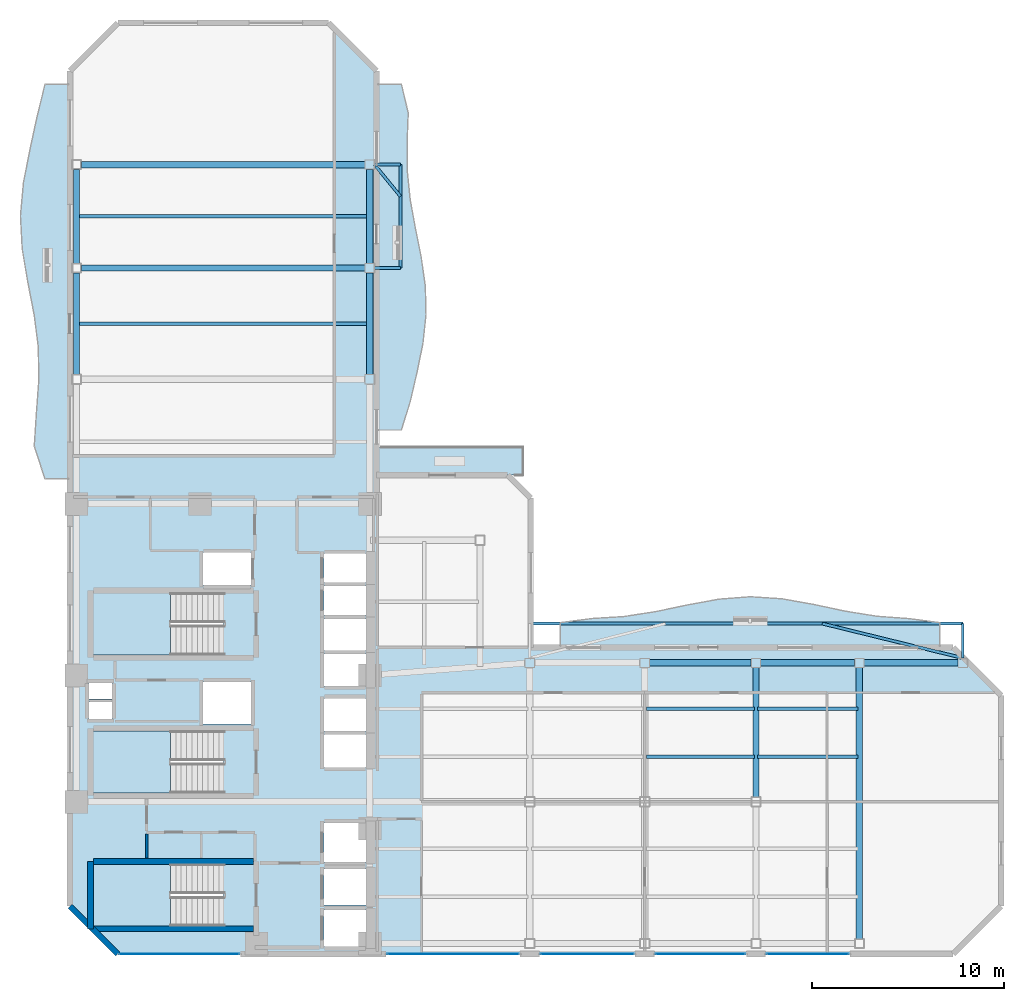
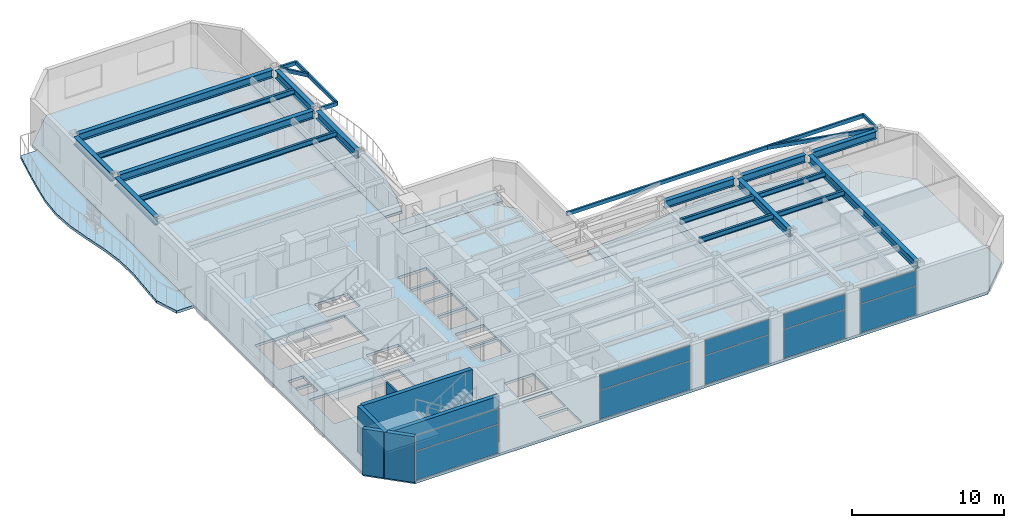
# One storey, part 8 of 15: 24 beams, 10 plates, 8 slabs, 5 walls, 8 elements without a shape of their own.
"""IFC4 building model written with IfcOpenShell, lengths in metres."""

from ifc_helpers import new_model, si_unit, direction, frame, frame_2d, origin, origin_2d, place, context, subcontext, project, spatial, polyline, rectangle, hollow_rectangle, i_section, outline, extrude, material, layer, layer_set, material_profile, profile_set, type_object, element, aggregate, save


model = new_model("IFC4")

# Units and contexts
model_context = context("Model", 3, precision=1e-05, world=origin(), true_north=direction((0.0, 1.0)))
body_context = subcontext(model_context, "Body", "Model", "MODEL_VIEW")
ifc_project = project(units=[si_unit("LENGTHUNIT", "METRE"), si_unit("AREAUNIT", "SQUARE_METRE"), si_unit("VOLUMEUNIT", "CUBIC_METRE"), si_unit("PLANEANGLEUNIT", "RADIAN"), si_unit("MASSUNIT", "GRAM", prefix="KILO")], contexts=[model_context])

# Site, building, storey
site_placement = place(None, origin())
site = spatial("IfcSite", under=ifc_project, at=site_placement, CompositionType="ELEMENT")
building_placement = place(site_placement, origin())
building = spatial("IfcBuilding", under=site, at=building_placement, Name="Mawjaban Terraces University", CompositionType="ELEMENT")
storey_placement = place(building_placement, frame((0.0, 0.0, 142.39990234375)))
storey = spatial("IfcBuildingStorey", under=building, at=storey_placement, Name="L34", CompositionType="ELEMENT", Elevation=142.39990234375)

# Beams
ifc_material_1 = material(Name="Steel EN 10210-1 S355J2H", Category="steel")
ifc_material_profile_1 = material_profile(ifc_material_1, hollow_rectangle(XDim=0.14990234375, YDim=0.300048828125, WallThickness=0.012451171875, at=origin_2d()), Name="RHS300X150X12.5")
ifc_profile_set_1 = profile_set([ifc_material_profile_1], Name="Steel EN 10210-1 S355J2H")
beam_type_1 = type_object("IfcBeamType", Name="BalconyCantileverSpandrel_RHS", PredefinedType="SPANDREL", material=ifc_profile_set_1)
beam_1_placement = place(storey_placement, frame((68.60009765625, 15.449951171875, 3.5400390625), z_axis=(0.0, 1.0, 0.0), x_axis=(-1.0, 0.0, 0.0)))
element("IfcBeam", 1, at=beam_1_placement, inside=storey, type_object=beam_type_1, Name="L34 Exterior Outrigger BAL-L35-N.2", PredefinedType="SPANDREL", context=body_context, shape_type="SweptSolid", body=[
    extrude(hollow_rectangle(XDim=0.14990234375, YDim=0.300048828125, WallThickness=0.012451171875, at=origin_2d()), origin(), (0.0, 0.0, 1.0), 1.800048828125),
])
beam_2_placement = place(storey_placement, frame((46.0, 17.25, 3.5400390625), z_axis=(1.0, 0.0, 0.0), x_axis=(0.0, 1.0, 0.0)))
element("IfcBeam", 2, at=beam_2_placement, inside=storey, type_object=beam_type_1, Name="L34 Exterior Edge Spandrel BAL-L35-N", PredefinedType="SPANDREL", context=body_context, shape_type="SweptSolid", body=[
    extrude(hollow_rectangle(XDim=0.14990234375, YDim=0.300048828125, WallThickness=0.012451171875, at=origin_2d()), origin(), (0.0, 0.0, 1.0), 22.60009765625),
])
beam_3_placement = place(storey_placement, frame((68.60009765625, 15.449951171875, 3.5400390625), z_axis=(-0.971192217353, 0.238297454775, 0.0), x_axis=(-0.238297454775, -0.971192217353, 0.0)))
element("IfcBeam", 3, at=beam_3_placement, inside=storey, type_object=beam_type_1, Name="L34 Exterior Diagonal Strut BAL-L35-N.2", PredefinedType="SPANDREL", context=body_context, shape_type="SweptSolid", body=[
    extrude(hollow_rectangle(XDim=0.14990234375, YDim=0.300048828125, WallThickness=0.012451171875, at=origin_2d()), origin(), (0.0, 0.0, 1.0), 7.5537109375),
])
for number, where, z_axis, x_axis, name in (
    (4, (37.89990234375, 35.800048828125, 3.5400390625), (1.0, 0.0, 0.0), (0.0, 1.0, 0.0), "L34 Exterior Outrigger BAL-L35-E.1"),
    (5, (37.89990234375, 41.199951171875, 3.5400390625), (1.0, 0.0, 0.0), (0.0, 1.0, 0.0), "L34 Exterior Outrigger BAL-L35-E.2"),
):
    element("IfcBeam", number, at=place(storey_placement, frame(where, z_axis=z_axis, x_axis=x_axis)), inside=storey, type_object=beam_type_1, Name=name, PredefinedType="SPANDREL", context=body_context, shape_type="SweptSolid", body=[
        extrude(hollow_rectangle(XDim=0.14990234375, YDim=0.300048828125, WallThickness=0.012451171875, at=origin_2d()), origin(), (0.0, 0.0, 1.0), 1.35009765625),
    ])
beam_4_placement = place(storey_placement, frame((39.25, 35.800048828125, 3.5400390625), z_axis=(0.0, 1.0, 0.0), x_axis=(-1.0, 0.0, 0.0)))
element("IfcBeam", 6, at=beam_4_placement, inside=storey, type_object=beam_type_1, Name="L34 Exterior Edge Spandrel BAL-L35-E", PredefinedType="SPANDREL", context=body_context, shape_type="SweptSolid", body=[
    extrude(hollow_rectangle(XDim=0.14990234375, YDim=0.300048828125, WallThickness=0.012451171875, at=origin_2d()), origin(), (0.0, 0.0, 1.0), 5.39990234375),
])
beam_5_placement = place(storey_placement, frame((37.89990234375, 41.199951171875, 3.5400390625), z_axis=(0.633287678219, -0.773916479096, 0.0), x_axis=(0.773916479096, 0.633287678219, 0.0)))
element("IfcBeam", 7, at=beam_5_placement, inside=storey, type_object=beam_type_1, Name="L34 Exterior Diagonal Strut BAL-L35-E.2", PredefinedType="SPANDREL", context=body_context, shape_type="SweptSolid", body=[
    extrude(hollow_rectangle(XDim=0.14990234375, YDim=0.300048828125, WallThickness=0.012451171875, at=origin_2d()), origin(), (0.0, 0.0, 1.0), 2.1318359375),
])
ifc_material_2 = material(Name="Steel ASTM A572 Grade 50", Category="steel")
ifc_material_profile_2 = material_profile(ifc_material_2, i_section(OverallWidth=0.324951171875, OverallDepth=0.615966796875, WebThickness=0.013916015625, FlangeThickness=0.021484375, at=origin_2d()), Name="W610X174")
ifc_profile_set_2 = profile_set([ifc_material_profile_2], Name="Steel ASTM A572 Grade 50")
beam_type_2 = type_object("IfcBeamType", Name="Beam_B_W610X174", PredefinedType="BEAM", material=ifc_profile_set_2)
beam_6_placement = place(storey_placement, frame((52.25, 15.199951171875, 3.382080078125), z_axis=(1.0, 0.0, 0.0), x_axis=(0.0, 1.0, 0.0)))
element("IfcBeam", 8, at=beam_6_placement, inside=storey, type_object=beam_type_2, Name="L34 Beam BM-L34-EW-09", PredefinedType="BEAM", context=body_context, shape_type="SweptSolid", body=[
    extrude(i_section(OverallWidth=0.324951171875, OverallDepth=0.615966796875, WebThickness=0.013916015625, FlangeThickness=0.021484375, at=origin_2d()), origin(), (0.0, 0.0, 1.0), 5.300048828125),
])
beam_7_placement = place(storey_placement, frame((58.050048828125, 15.199951171875, 3.382080078125), z_axis=(1.0, 0.0, 0.0), x_axis=(0.0, 1.0, 0.0)))
element("IfcBeam", 9, at=beam_7_placement, inside=storey, type_object=beam_type_2, Name="L34 Beam BM-L34-EW-10", PredefinedType="BEAM", context=body_context, shape_type="SweptSolid", body=[
    extrude(i_section(OverallWidth=0.324951171875, OverallDepth=0.615966796875, WebThickness=0.013916015625, FlangeThickness=0.021484375, at=origin_2d()), origin(), (0.0, 0.0, 1.0), 4.89990234375),
])
beam_8_placement = place(storey_placement, frame((63.449951171875, 15.199951171875, 3.382080078125), z_axis=(1.0, 0.0, 0.0), x_axis=(0.0, 1.0, 0.0)))
element("IfcBeam", 10, at=beam_8_placement, inside=storey, type_object=beam_type_2, Name="L34 Beam BM-L34-EW-11", PredefinedType="BEAM", context=body_context, shape_type="SweptSolid", body=[
    extrude(i_section(OverallWidth=0.324951171875, OverallDepth=0.615966796875, WebThickness=0.013916015625, FlangeThickness=0.021484375, at=origin_2d()), origin(), (0.0, 0.0, 1.0), 4.900146484375),
])
for number, where, z_axis, x_axis, name in (
    (11, (22.60009765625, 35.800048828125, 3.382080078125), (1.0, 0.0, 0.0), (0.0, 1.0, 0.0), "L34 Beam BM-L34-EW-15"),
    (12, (22.60009765625, 41.199951171875, 3.382080078125), (1.0, 0.0, 0.0), (0.0, 1.0, 0.0), "L34 Beam BM-L34-EW-16"),
):
    element("IfcBeam", number, at=place(storey_placement, frame(where, z_axis=z_axis, x_axis=x_axis)), inside=storey, type_object=beam_type_2, Name=name, PredefinedType="BEAM", context=body_context, shape_type="SweptSolid", body=[
        extrude(i_section(OverallWidth=0.324951171875, OverallDepth=0.615966796875, WebThickness=0.013916015625, FlangeThickness=0.021484375, at=origin_2d()), origin(), (0.0, 0.0, 1.0), 14.7998046875),
    ])
beam_9_placement = place(storey_placement, frame((22.35009765625, 30.25, 3.382080078125), z_axis=(0.0, 1.0, 0.0), x_axis=(-1.0, 0.0, 0.0)))
element("IfcBeam", 13, at=beam_9_placement, inside=storey, type_object=beam_type_2, Name="L34 Beam BM-L34-NS-04", PredefinedType="BEAM", context=body_context, shape_type="SweptSolid", body=[
    extrude(i_section(OverallWidth=0.324951171875, OverallDepth=0.615966796875, WebThickness=0.013916015625, FlangeThickness=0.021484375, at=origin_2d()), origin(), (0.0, 0.0, 1.0), 5.300048828125),
])
beam_10_placement = place(storey_placement, frame((22.35009765625, 36.050048828125, 3.382080078125), z_axis=(0.0, 1.0, 0.0), x_axis=(-1.0, 0.0, 0.0)))
element("IfcBeam", 14, at=beam_10_placement, inside=storey, type_object=beam_type_2, Name="L34 Beam BM-L34-NS-05", PredefinedType="BEAM", context=body_context, shape_type="SweptSolid", body=[
    extrude(i_section(OverallWidth=0.324951171875, OverallDepth=0.615966796875, WebThickness=0.013916015625, FlangeThickness=0.021484375, at=origin_2d()), origin(), (0.0, 0.0, 1.0), 4.89990234375),
])
beam_11_placement = place(storey_placement, frame((37.64990234375, 30.25, 3.382080078125), z_axis=(0.0, 1.0, 0.0), x_axis=(-1.0, 0.0, 0.0)))
element("IfcBeam", 15, at=beam_11_placement, inside=storey, type_object=beam_type_2, Name="L34 Beam BM-L34-NS-10", PredefinedType="BEAM", context=body_context, shape_type="SweptSolid", body=[
    extrude(i_section(OverallWidth=0.324951171875, OverallDepth=0.615966796875, WebThickness=0.013916015625, FlangeThickness=0.021484375, at=origin_2d()), origin(), (0.0, 0.0, 1.0), 5.300048828125),
])
beam_12_placement = place(storey_placement, frame((37.64990234375, 36.050048828125, 3.382080078125), z_axis=(0.0, 1.0, 0.0), x_axis=(-1.0, 0.0, 0.0)))
element("IfcBeam", 16, at=beam_12_placement, inside=storey, type_object=beam_type_2, Name="L34 Beam BM-L34-NS-11", PredefinedType="BEAM", context=body_context, shape_type="SweptSolid", body=[
    extrude(i_section(OverallWidth=0.324951171875, OverallDepth=0.615966796875, WebThickness=0.013916015625, FlangeThickness=0.021484375, at=origin_2d()), origin(), (0.0, 0.0, 1.0), 4.89990234375),
])
beam_13_placement = place(storey_placement, frame((57.800048828125, 8.199951171875, 3.382080078125), z_axis=(0.0, 1.0, 0.0), x_axis=(-1.0, 0.0, 0.0)))
element("IfcBeam", 17, at=beam_13_placement, inside=storey, type_object=beam_type_2, Name="L34 Beam BM-L34-NS-17", PredefinedType="BEAM", context=body_context, shape_type="SweptSolid", body=[
    extrude(i_section(OverallWidth=0.324951171875, OverallDepth=0.615966796875, WebThickness=0.013916015625, FlangeThickness=0.021484375, at=origin_2d()), origin(), (0.0, 0.0, 1.0), 6.75),
])
beam_14_placement = place(storey_placement, frame((63.199951171875, 0.800048828125, 3.382080078125), z_axis=(0.0, 1.0, 0.0), x_axis=(-1.0, 0.0, 0.0)))
element("IfcBeam", 18, at=beam_14_placement, inside=storey, type_object=beam_type_2, Name="L34 Beam BM-L34-NS-18", PredefinedType="BEAM", context=body_context, shape_type="SweptSolid", body=[
    extrude(i_section(OverallWidth=0.324951171875, OverallDepth=0.615966796875, WebThickness=0.013916015625, FlangeThickness=0.021484375, at=origin_2d()), origin(), (0.0, 0.0, 1.0), 14.14990234375),
])
ifc_material_profile_3 = material_profile(ifc_material_2, i_section(OverallWidth=0.179931640625, OverallDepth=0.4130859375, WebThickness=0.009765625, FlangeThickness=0.01611328125, at=origin_2d()), Name="W410X74")
ifc_profile_set_3 = profile_set([ifc_material_profile_3], Name="Steel ASTM A572 Grade 50")
beam_type_3 = type_object("IfcBeamType", Name="Beam_J_W410X74", PredefinedType="JOIST", material=ifc_profile_set_3)
beam_15_placement = place(storey_placement, frame((52.080078125, 10.300048828125, 3.483154296875), z_axis=(1.0, 0.0, 0.0), x_axis=(0.0, 1.0, 0.0)))
element("IfcBeam", 19, at=beam_15_placement, inside=storey, type_object=beam_type_3, Name="L34 Composite Joist JST-L34-11", PredefinedType="JOIST", context=body_context, shape_type="SweptSolid", body=[
    extrude(i_section(OverallWidth=0.179931640625, OverallDepth=0.4130859375, WebThickness=0.009765625, FlangeThickness=0.01611328125, at=origin_2d()), origin(), (0.0, 0.0, 1.0), 5.639892578125),
])
beam_16_placement = place(storey_placement, frame((57.8798828125, 10.300048828125, 3.483154296875), z_axis=(1.0, 0.0, 0.0), x_axis=(0.0, 1.0, 0.0)))
element("IfcBeam", 20, at=beam_16_placement, inside=storey, type_object=beam_type_3, Name="L34 Composite Joist JST-L34-12", PredefinedType="JOIST", context=body_context, shape_type="SweptSolid", body=[
    extrude(i_section(OverallWidth=0.179931640625, OverallDepth=0.4130859375, WebThickness=0.009765625, FlangeThickness=0.01611328125, at=origin_2d()), origin(), (0.0, 0.0, 1.0), 5.240234375),
])
beam_17_placement = place(storey_placement, frame((52.080078125, 12.800048828125, 3.483154296875), z_axis=(1.0, 0.0, 0.0), x_axis=(0.0, 1.0, 0.0)))
element("IfcBeam", 21, at=beam_17_placement, inside=storey, type_object=beam_type_3, Name="L34 Composite Joist JST-L34-15", PredefinedType="JOIST", context=body_context, shape_type="SweptSolid", body=[
    extrude(i_section(OverallWidth=0.179931640625, OverallDepth=0.4130859375, WebThickness=0.009765625, FlangeThickness=0.01611328125, at=origin_2d()), origin(), (0.0, 0.0, 1.0), 5.639892578125),
])
beam_18_placement = place(storey_placement, frame((57.8798828125, 12.800048828125, 3.483154296875), z_axis=(1.0, 0.0, 0.0), x_axis=(0.0, 1.0, 0.0)))
element("IfcBeam", 22, at=beam_18_placement, inside=storey, type_object=beam_type_3, Name="L34 Composite Joist JST-L34-16", PredefinedType="JOIST", context=body_context, shape_type="SweptSolid", body=[
    extrude(i_section(OverallWidth=0.179931640625, OverallDepth=0.4130859375, WebThickness=0.009765625, FlangeThickness=0.01611328125, at=origin_2d()), origin(), (0.0, 0.0, 1.0), 5.240234375),
])
for number, where, z_axis, x_axis, name in (
    (23, (22.429931640625, 32.89990234375, 3.483154296875), (1.0, 0.0, 0.0), (0.0, 1.0, 0.0), "L34 Composite Joist JST-L34-19"),
    (24, (22.429931640625, 38.5, 3.483154296875), (1.0, 0.0, 0.0), (0.0, 1.0, 0.0), "L34 Composite Joist JST-L34-20"),
):
    element("IfcBeam", number, at=place(storey_placement, frame(where, z_axis=z_axis, x_axis=x_axis)), inside=storey, type_object=beam_type_3, Name=name, PredefinedType="JOIST", context=body_context, shape_type="SweptSolid", body=[
        extrude(i_section(OverallWidth=0.179931640625, OverallDepth=0.4130859375, WebThickness=0.009765625, FlangeThickness=0.01611328125, at=origin_2d()), origin(), (0.0, 0.0, 1.0), 15.14013671875),
    ])

# Slabs
ifc_material_3 = material(Name="Concrete C40/50", Category="concrete")
ifc_layer_1 = layer(ifc_material_3, 0.2099609375)
ifc_layer_set_1 = layer_set([ifc_layer_1], Name="Concrete C40/50")
slab_type_1 = type_object("IfcSlabType", Name="BalconySlab_210_Ext", PredefinedType="FLOOR", material=ifc_layer_set_1)
slab_1_placement = place(storey_placement, frame((0.0, 0.0, -0.2099609375)))
element("IfcSlab", 25, at=slab_1_placement, inside=storey, type_object=slab_type_1, Name="L34 Planted Balcony Slab west", PredefinedType="FLOOR", context=body_context, shape_type="SweptSolid", body=[
    extrude(outline(polyline([(22.010009765625, 24.800048828125), (22.010009765625, 45.39990234375), (20.699951171875, 45.39990234375), (20.281982421875, 43.68310546875), (19.909912109375, 41.967041015625), (19.574951171875, 40.25), (19.4189453125, 38.532958984375), (19.510009765625, 36.81689453125), (19.797119140625, 35.10009765625), (20.131103515625, 33.383056640625), (20.35107421875, 31.6669921875), (20.3759765625, 29.949951171875), (20.25, 28.23291015625), (20.138916015625, 26.51708984375), (20.699951171875, 24.800048828125), (22.010009765625, 24.800048828125)])), origin(), (0.0, 0.0, 1.0), 0.2099609375),
])
slab_2_placement = place(storey_placement, frame((0.0, 0.0, -0.2099609375)))
element("IfcSlab", 26, at=slab_2_placement, inside=storey, type_object=slab_type_1, Name="L34 Planted Balcony Slab inner_north", PredefinedType="FLOOR", context=body_context, shape_type="SweptSolid", body=[
    extrude(outline(polyline([(47.59912109375, 15.989990234375), (67.39990234375, 15.989990234375), (67.39990234375, 17.300048828125), (65.75, 17.510986328125), (64.10009765625, 17.632080078125), (62.449951171875, 17.89990234375), (60.800048828125, 18.2509765625), (59.14990234375, 18.5439453125), (57.4990234375, 18.64990234375), (55.84912109375, 18.52001953125), (54.198974609375, 18.215087890625), (52.549072265625, 17.867919921875), (50.89892578125, 17.614990234375), (49.2490234375, 17.512939453125), (47.59912109375, 17.300048828125), (47.59912109375, 15.989990234375)])), origin(), (0.0, 0.0, 1.0), 0.2099609375),
])
slab_3_placement = place(storey_placement, frame((0.0, 0.0, -0.2099609375)))
element("IfcSlab", 27, at=slab_3_placement, inside=storey, type_object=slab_type_1, Name="L34 Planted Balcony Slab inner_east", PredefinedType="FLOOR", context=body_context, shape_type="SweptSolid", body=[
    extrude(outline(polyline([(39.300048828125, 27.35009765625), (39.764892578125, 28.85400390625), (40.114990234375, 30.35791015625), (40.4208984375, 31.863037109375), (40.583984375, 33.366943359375), (40.547119140625, 34.87109375), (40.3330078125, 36.375), (40.030029296875, 37.87890625), (39.757080078125, 39.383056640625), (39.60595703125, 40.887939453125), (39.597900390625, 42.39208984375), (39.655029296875, 43.89599609375), (39.300048828125, 45.39990234375), (37.989990234375, 45.39990234375), (37.989990234375, 27.35009765625), (39.300048828125, 27.35009765625)])), origin(), (0.0, 0.0, 1.0), 0.2099609375),
])
ifc_layer_2 = layer(ifc_material_3, 0.2099609375)
ifc_layer_set_2 = layer_set([ifc_layer_2], Name="Concrete C40/50")
slab_type_2 = type_object("IfcSlabType", Name="CompositeSlab_210", PredefinedType="FLOOR", material=ifc_layer_set_2)
slab_4_placement = place(storey_placement, frame((0.0, 0.0, -0.2099609375)))
element("IfcSlab", 28, at=slab_4_placement, inside=storey, type_object=slab_type_2, Name="L34 Primary Structural Slab", PredefinedType="FLOOR", context=body_context, shape_type="SweptSolid", body=[
    extrude(outline(polyline([(24.5, 0.0), (68.10009765625, 0.0), (70.60009765625, 2.5), (70.60009765625, 13.5), (68.10009765625, 16.0), (46.0458984375, 16.0), (46.0458984375, 23.800048828125), (44.845947265625, 25.0), (38.0, 25.0), (38.0, 46.10009765625), (35.5, 48.60009765625), (24.5, 48.60009765625), (22.0, 46.10009765625), (22.0, 2.5), (24.5, 0.0)]), holes=[polyline([(30.014892578125, 4.699951171875), (23.199951171875, 4.699951171875), (23.199951171875, 1.449951171875), (30.014892578125, 1.449951171875), (30.014892578125, 4.699951171875)]), polyline([(30.014892578125, 18.85009765625), (23.199951171875, 18.85009765625), (23.199951171875, 15.60009765625), (30.014892578125, 15.60009765625), (30.014892578125, 18.85009765625)]), polyline([(30.014892578125, 11.64990234375), (23.199951171875, 11.64990234375), (23.199951171875, 8.39990234375), (30.014892578125, 8.39990234375), (30.014892578125, 11.64990234375)]), polyline([(35.25, 0.39990234375), (37.449951171875, 0.39990234375), (37.449951171875, 2.300048828125), (35.25, 2.300048828125), (35.25, 0.39990234375)]), polyline([(35.25, 2.550048828125), (37.449951171875, 2.550048828125), (37.449951171875, 4.449951171875), (35.25, 4.449951171875), (35.25, 2.550048828125)]), polyline([(35.25, 4.800048828125), (37.449951171875, 4.800048828125), (37.449951171875, 6.85009765625), (35.25, 6.85009765625), (35.25, 4.800048828125)]), polyline([(35.25, 9.75), (37.449951171875, 9.75), (37.449951171875, 11.449951171875), (35.25, 11.449951171875), (35.25, 9.75)]), polyline([(35.25, 11.64990234375), (37.449951171875, 11.64990234375), (37.449951171875, 13.35009765625), (35.25, 13.35009765625), (35.25, 11.64990234375)]), polyline([(28.949951171875, 12.0), (31.449951171875, 12.0), (31.449951171875, 14.199951171875), (28.949951171875, 14.199951171875), (28.949951171875, 12.0)]), polyline([(35.25, 14.0), (37.449951171875, 14.0), (37.449951171875, 15.64990234375), (35.25, 15.64990234375), (35.25, 14.0)]), polyline([(35.25, 15.85009765625), (37.449951171875, 15.85009765625), (37.449951171875, 17.5), (35.25, 17.5), (35.25, 15.85009765625)]), polyline([(35.25, 17.699951171875), (37.449951171875, 17.699951171875), (37.449951171875, 19.199951171875), (35.25, 19.199951171875), (35.25, 17.699951171875)]), polyline([(35.25, 19.39990234375), (37.449951171875, 19.39990234375), (37.449951171875, 20.89990234375), (35.25, 20.89990234375), (35.25, 19.39990234375)]), polyline([(28.949951171875, 19.25), (31.449951171875, 19.25), (31.449951171875, 20.949951171875), (28.949951171875, 20.949951171875), (28.949951171875, 19.25)]), polyline([(23.0, 12.25), (24.199951171875, 12.25), (24.199951171875, 13.14990234375), (23.0, 13.14990234375), (23.0, 12.25)]), polyline([(23.0, 13.300048828125), (24.199951171875, 13.300048828125), (24.199951171875, 14.179931640625), (23.0, 14.179931640625), (23.0, 13.300048828125)])]), origin(), (0.0, 0.0, 1.0), 0.2099609375),
])

# Stair, slab
stair_type = type_object("IfcStairType", Name="Stair_Core1550_H39", PredefinedType="HALF_TURN_STAIR", material=ifc_material_3)
stair_1_placement = place(storey_placement, origin())
stair_1 = element("IfcStair", 29, at=stair_1_placement, inside=storey, type_object=stair_type, Name="L34 Core Exit Stair 1", PredefinedType="HALF_TURN_STAIR")
ifc_layer_3 = layer(ifc_material_3, 0.199951171875)
ifc_layer_set_3 = layer_set([ifc_layer_3], Name="Concrete C40/50")
slab_type_3 = type_object("IfcSlabType", Name="StairLandingSlab_200", PredefinedType="LANDING", material=ifc_layer_set_3)
slab_5_placement = place(storey_placement, frame((0.0, 0.0, 1.75)))
slab_5 = element("IfcSlab", 30, at=slab_5_placement, type_object=slab_type_3, Name="ST-1 landing 1", PredefinedType="LANDING", context=body_context, shape_type="SweptSolid", body=[
    extrude(outline(polyline([(27.25, 4.699951171875), (23.199951171875, 4.699951171875), (23.199951171875, 1.449951171875), (27.25, 1.449951171875), (27.25, 4.699951171875)])), origin(), (0.0, 0.0, 1.0), 0.2001953125),
])
aggregate(stair_1, [slab_5])

stair_2_placement = place(storey_placement, origin())
stair_2 = element("IfcStair", 31, at=stair_2_placement, inside=storey, type_object=stair_type, Name="L34 Core Exit Stair 2", PredefinedType="HALF_TURN_STAIR")
slab_6_placement = place(storey_placement, frame((0.0, 0.0, 1.75)))
slab_6 = element("IfcSlab", 32, at=slab_6_placement, type_object=slab_type_3, Name="ST-2 landing 1", PredefinedType="LANDING", context=body_context, shape_type="SweptSolid", body=[
    extrude(outline(polyline([(27.25, 18.85009765625), (23.199951171875, 18.85009765625), (23.199951171875, 15.60009765625), (27.25, 15.60009765625), (27.25, 18.85009765625)])), origin(), (0.0, 0.0, 1.0), 0.2001953125),
])
aggregate(stair_2, [slab_6])

stair_3_placement = place(storey_placement, origin())
stair_3 = element("IfcStair", 33, at=stair_3_placement, inside=storey, type_object=stair_type, Name="L34 Core Exit Stair 3", PredefinedType="HALF_TURN_STAIR")
slab_7_placement = place(storey_placement, frame((0.0, 0.0, 1.75)))
slab_7 = element("IfcSlab", 34, at=slab_7_placement, type_object=slab_type_3, Name="ST-3 landing 1", PredefinedType="LANDING", context=body_context, shape_type="SweptSolid", body=[
    extrude(outline(polyline([(27.25, 11.64990234375), (23.199951171875, 11.64990234375), (23.199951171875, 8.39990234375), (27.25, 8.39990234375), (27.25, 11.64990234375)])), origin(), (0.0, 0.0, 1.0), 0.2001953125),
])
aggregate(stair_3, [slab_7])

# Slab
ifc_layer_4 = layer(ifc_material_3, 0.2099609375)
ifc_layer_set_4 = layer_set([ifc_layer_4], Name="Concrete C40/50")
slab_type_4 = type_object("IfcSlabType", Name="StudyTerraceSlab_210_Ext", PredefinedType="FLOOR", material=ifc_layer_set_4)
slab_8_placement = place(storey_placement, frame((0.0, 0.0, -0.2099609375)))
element("IfcSlab", 35, at=slab_8_placement, inside=storey, type_object=slab_type_4, Name="L34 Exterior Study Terrace Slab", PredefinedType="FLOOR", context=body_context, shape_type="SweptSolid", body=[
    extrude(outline(polyline([(38.0, 25.0), (45.64599609375, 25.0), (45.64599609375, 26.449951171875), (38.0, 26.449951171875), (38.0, 25.0)])), origin(), (0.0, 0.0, 1.0), 0.2099609375),
])

# Curtain wall, plates
ifc_material_4 = material(Name="Anodised aluminium 6063-T6 and solar-control low-E glass", Category="aluminium")
ifc_layer_5 = layer(ifc_material_4, 0.1650390625)
ifc_layer_set_5 = layer_set([ifc_layer_5], Name="Anodised aluminium 6063-T6 and solar-control low-E glass")
curtain_wall_type = type_object("IfcCurtainWallType", Name="CWSystem_04_EastWing", PredefinedType="NOTDEFINED", material=ifc_layer_set_5)
curtain_wall_1_placement = place(storey_placement, origin())
curtain_wall_1 = element("IfcCurtainWall", 36, at=curtain_wall_1_placement, inside=storey, type_object=curtain_wall_type, Name="L34 Curtain Wall CW-04 Run 1.1", PredefinedType="NOTDEFINED")
ifc_material_5 = material(Name="Low-E solar-control double glazing", Category="glass")
ifc_layer_6 = layer(ifc_material_5, 0.028076171875)
ifc_layer_set_6 = layer_set([ifc_layer_6], Name="Low-E solar-control double glazing")
plate_type = type_object("IfcPlateType", Name="VisionPanel_CW-04", PredefinedType="CURTAIN_PANEL", material=ifc_layer_set_6)
plate_1_placement = place(storey_placement, frame((27.699951171875, 0.0, 0.06005859375), z_axis=(0.0, 0.0, 1.0), x_axis=(1.0, 0.0, 0.0)))
plate_1 = element("IfcPlate", 37, at=plate_1_placement, type_object=plate_type, Name="CW-04 panel 1.1", PredefinedType="CURTAIN_PANEL", context=body_context, shape_type="SweptSolid", body=[
    extrude(rectangle(XDim=6.27001953125, YDim=0.028076171875, at=origin_2d()), origin(), (0.0, 0.0, 1.0), 2.30810546875),
])
plate_2_placement = place(storey_placement, frame((27.699951171875, 0.0, 2.42822265625), z_axis=(0.0, 0.0, 1.0), x_axis=(1.0, 0.0, 0.0)))
plate_2 = element("IfcPlate", 38, at=plate_2_placement, type_object=plate_type, Name="CW-04 panel 1.2", PredefinedType="CURTAIN_PANEL", context=body_context, shape_type="SweptSolid", body=[
    extrude(rectangle(XDim=6.27001953125, YDim=0.028076171875, at=origin_2d()), origin(), (0.0, 0.0, 1.0), 1.201904296875),
])
aggregate(curtain_wall_1, [plate_1, plate_2])

curtain_wall_2_placement = place(storey_placement, origin())
curtain_wall_2 = element("IfcCurtainWall", 39, at=curtain_wall_2_placement, inside=storey, type_object=curtain_wall_type, Name="L34 Curtain Wall CW-04 Run 1.2", PredefinedType="NOTDEFINED")
plate_3_placement = place(storey_placement, frame((42.0, 0.0, 0.06005859375), z_axis=(0.0, 0.0, 1.0), x_axis=(1.0, 0.0, 0.0)))
plate_3 = element("IfcPlate", 40, at=plate_3_placement, type_object=plate_type, Name="CW-04 panel 1.1", PredefinedType="CURTAIN_PANEL", context=body_context, shape_type="SweptSolid", body=[
    extrude(rectangle(XDim=6.8701171875, YDim=0.028076171875, at=origin_2d()), origin(), (0.0, 0.0, 1.0), 2.30810546875),
])
plate_4_placement = place(storey_placement, frame((42.0, 0.0, 2.42822265625), z_axis=(0.0, 0.0, 1.0), x_axis=(1.0, 0.0, 0.0)))
plate_4 = element("IfcPlate", 41, at=plate_4_placement, type_object=plate_type, Name="CW-04 panel 1.2", PredefinedType="CURTAIN_PANEL", context=body_context, shape_type="SweptSolid", body=[
    extrude(rectangle(XDim=6.8701171875, YDim=0.028076171875, at=origin_2d()), origin(), (0.0, 0.0, 1.0), 1.201904296875),
])
aggregate(curtain_wall_2, [plate_3, plate_4])

curtain_wall_3_placement = place(storey_placement, origin())
curtain_wall_3 = element("IfcCurtainWall", 42, at=curtain_wall_3_placement, inside=storey, type_object=curtain_wall_type, Name="L34 Curtain Wall CW-04 Run 1.3", PredefinedType="NOTDEFINED")
plate_5_placement = place(storey_placement, frame((49.0, 0.0, 0.06005859375), z_axis=(0.0, 0.0, 1.0), x_axis=(1.0, 0.0, 0.0)))
plate_5 = element("IfcPlate", 43, at=plate_5_placement, type_object=plate_type, Name="CW-04 panel 1.1", PredefinedType="CURTAIN_PANEL", context=body_context, shape_type="SweptSolid", body=[
    extrude(rectangle(XDim=4.8701171875, YDim=0.028076171875, at=origin_2d()), origin(), (0.0, 0.0, 1.0), 2.30810546875),
])
plate_6_placement = place(storey_placement, frame((49.0, 0.0, 2.42822265625), z_axis=(0.0, 0.0, 1.0), x_axis=(1.0, 0.0, 0.0)))
plate_6 = element("IfcPlate", 44, at=plate_6_placement, type_object=plate_type, Name="CW-04 panel 1.2", PredefinedType="CURTAIN_PANEL", context=body_context, shape_type="SweptSolid", body=[
    extrude(rectangle(XDim=4.8701171875, YDim=0.028076171875, at=origin_2d()), origin(), (0.0, 0.0, 1.0), 1.201904296875),
])
aggregate(curtain_wall_3, [plate_5, plate_6])

curtain_wall_4_placement = place(storey_placement, origin())
curtain_wall_4 = element("IfcCurtainWall", 45, at=curtain_wall_4_placement, inside=storey, type_object=curtain_wall_type, Name="L34 Curtain Wall CW-04 Run 1.4", PredefinedType="NOTDEFINED")
plate_7_placement = place(storey_placement, frame((54.89990234375, 0.0, 0.06005859375), z_axis=(0.0, 0.0, 1.0), x_axis=(1.0, 0.0, 0.0)))
plate_7 = element("IfcPlate", 46, at=plate_7_placement, type_object=plate_type, Name="CW-04 panel 1.1", PredefinedType="CURTAIN_PANEL", context=body_context, shape_type="SweptSolid", body=[
    extrude(rectangle(XDim=4.669921875, YDim=0.028076171875, at=origin_2d()), origin(), (0.0, 0.0, 1.0), 2.30810546875),
])
plate_8_placement = place(storey_placement, frame((54.89990234375, 0.0, 2.42822265625), z_axis=(0.0, 0.0, 1.0), x_axis=(1.0, 0.0, 0.0)))
plate_8 = element("IfcPlate", 47, at=plate_8_placement, type_object=plate_type, Name="CW-04 panel 1.2", PredefinedType="CURTAIN_PANEL", context=body_context, shape_type="SweptSolid", body=[
    extrude(rectangle(XDim=4.669921875, YDim=0.028076171875, at=origin_2d()), origin(), (0.0, 0.0, 1.0), 1.201904296875),
])
aggregate(curtain_wall_4, [plate_7, plate_8])

curtain_wall_5_placement = place(storey_placement, origin())
curtain_wall_5 = element("IfcCurtainWall", 48, at=curtain_wall_5_placement, inside=storey, type_object=curtain_wall_type, Name="L34 Curtain Wall CW-04 Run 1.5", PredefinedType="NOTDEFINED")
plate_9_placement = place(storey_placement, frame((60.5, 0.0, 0.06005859375), z_axis=(0.0, 0.0, 1.0), x_axis=(1.0, 0.0, 0.0)))
plate_9 = element("IfcPlate", 49, at=plate_9_placement, type_object=plate_type, Name="CW-04 panel 1.1", PredefinedType="CURTAIN_PANEL", context=body_context, shape_type="SweptSolid", body=[
    extrude(rectangle(XDim=4.27001953125, YDim=0.028076171875, at=origin_2d()), origin(), (0.0, 0.0, 1.0), 2.30810546875),
])
plate_10_placement = place(storey_placement, frame((60.5, 0.0, 2.42822265625), z_axis=(0.0, 0.0, 1.0), x_axis=(1.0, 0.0, 0.0)))
plate_10 = element("IfcPlate", 50, at=plate_10_placement, type_object=plate_type, Name="CW-04 panel 1.2", PredefinedType="CURTAIN_PANEL", context=body_context, shape_type="SweptSolid", body=[
    extrude(rectangle(XDim=4.27001953125, YDim=0.028076171875, at=origin_2d()), origin(), (0.0, 0.0, 1.0), 1.201904296875),
])
aggregate(curtain_wall_5, [plate_9, plate_10])

# Walls
ifc_material_6 = material(Name="Insulated terracotta rainscreen on concrete backup C40/50", Category="masonry")
ifc_layer_7 = layer(ifc_material_6, 0.300048828125)
ifc_layer_set_7 = layer_set([ifc_layer_7], Name="Insulated terracotta rainscreen on concrete backup C40/50")
wall_type_1 = type_object("IfcWallType", Name="ExtTerracottaWall_300", PredefinedType="SOLIDWALL", material=ifc_layer_set_7)
wall_1_placement = place(storey_placement, frame((22.0, 2.5, 0.0), z_axis=(0.0, 0.0, 1.0), x_axis=(0.707106781187, -0.707106781187, 0.0)))
element("IfcWall", 51, at=wall_1_placement, inside=storey, type_object=wall_type_1, Name="L34 Exterior Terracotta Wall 14", PredefinedType="SOLIDWALL", context=body_context, shape_type="SweptSolid", body=[
    extrude(rectangle(XDim=3.53564453125, YDim=0.300048828125, at=frame_2d((1.767822265625, 0.0))), origin(), (0.0, 0.0, 1.0), 3.690185546875),
])
ifc_material_7 = material(Name="Concrete C60/75", Category="concrete")
ifc_layer_8 = layer(ifc_material_7, 0.300048828125)
ifc_layer_set_8 = layer_set([ifc_layer_8], Name="Concrete C60/75")
wall_type_2 = type_object("IfcWallType", Name="StairShaftWall_300", PredefinedType="SHEAR", material=ifc_layer_set_8)
wall_2_placement = place(storey_placement, frame((31.580078125, 4.830078125, 0.0), z_axis=(0.0, 0.0, 1.0), x_axis=(-1.0, 0.0, 0.0)))
element("IfcWall", 52, at=wall_2_placement, inside=storey, type_object=wall_type_2, Name="L34 ST-1 Stair Shaft Wall 1", PredefinedType="SHEAR", context=body_context, shape_type="SweptSolid", body=[
    extrude(rectangle(XDim=8.360107421875, YDim=0.300048828125, at=frame_2d((4.18017578125, 0.0))), origin(), (0.0, 0.0, 1.0), 3.690185546875),
])
wall_3_placement = place(storey_placement, frame((23.070068359375, 4.830078125, 0.0), z_axis=(0.0, 0.0, 1.0), x_axis=(0.0, -1.0, 0.0)))
element("IfcWall", 53, at=wall_3_placement, inside=storey, type_object=wall_type_2, Name="L34 ST-1 Stair Shaft Wall 2", PredefinedType="SHEAR", context=body_context, shape_type="SweptSolid", body=[
    extrude(rectangle(XDim=3.510009765625, YDim=0.300048828125, at=frame_2d((1.7548828125, 0.0))), origin(), (0.0, 0.0, 1.0), 3.690185546875),
])
wall_4_placement = place(storey_placement, frame((23.219970703125, 1.320068359375, 0.0), z_axis=(0.0, 0.0, 1.0), x_axis=(1.0, 0.0, 0.0)))
element("IfcWall", 54, at=wall_4_placement, inside=storey, type_object=wall_type_2, Name="L34 ST-1 Stair Shaft Wall 3", PredefinedType="SHEAR", context=body_context, shape_type="SweptSolid", body=[
    extrude(rectangle(XDim=8.360107421875, YDim=0.300048828125, at=frame_2d((4.18017578125, 0.0))), origin(), (0.0, 0.0, 1.0), 3.690185546875),
])
ifc_material_8 = material(Name="Cement-board wet-room partition", Category="masonry")
ifc_layer_9 = layer(ifc_material_8, 0.135009765625)
ifc_layer_set_9 = layer_set([ifc_layer_9], Name="Cement-board wet-room partition")
wall_type_3 = type_object("IfcWallType", Name="WetRoomPartition_135", PredefinedType="PARTITIONING", material=ifc_layer_set_9)
wall_5_placement = place(storey_placement, frame((26.0, 5.010009765625, 0.0), z_axis=(0.0, 0.0, 1.0), x_axis=(0.0, 1.0, 0.0)))
element("IfcWall", 55, at=wall_5_placement, inside=storey, type_object=wall_type_3, Name="L34 Ablution Room Partition 23", PredefinedType="PARTITIONING", context=body_context, shape_type="SweptSolid", body=[
    extrude(rectangle(XDim=1.264892578125, YDim=0.135009765625, at=frame_2d((0.63232421875, 0.0))), origin(), (0.0, 0.0, 1.0), 3.690185546875),
])

save(model, "model.ifc")
